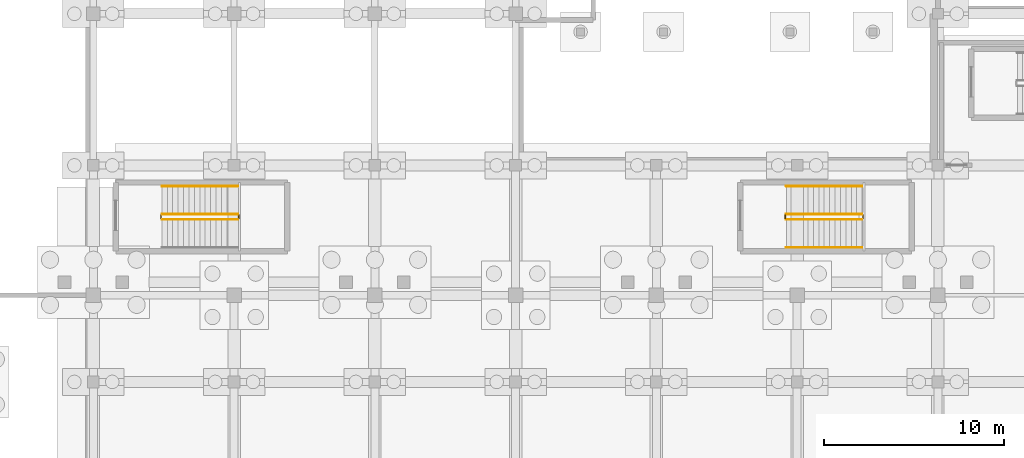
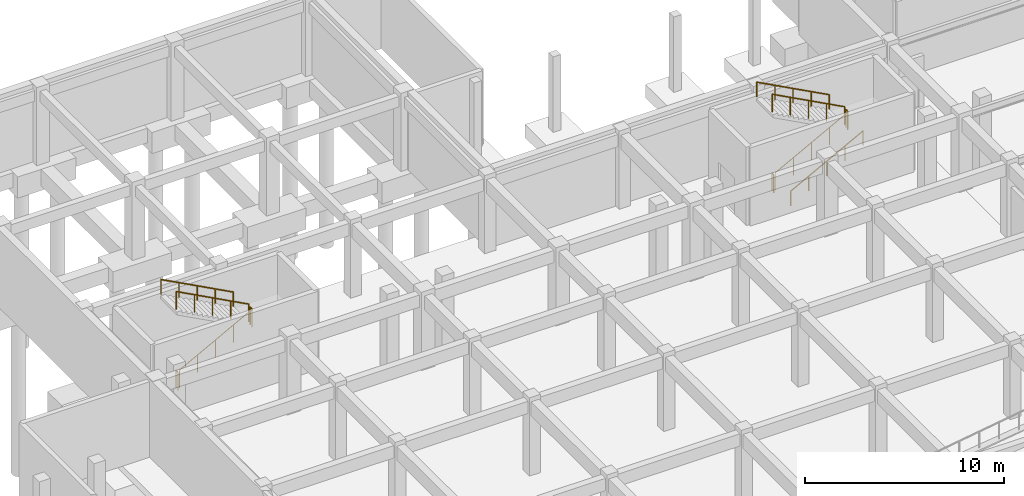
# One storey, part 23 of 26: 11 railings.
"""IFC4 building model written with IfcOpenShell, lengths in metres."""

import ifcopenshell
import ifcopenshell.guid

model = None  # the IFC model being written
_history = None  # IfcOwnerHistory: only IFC2X3 demands one
_inside = {}  # id of a spatial element -> (the spatial element, [elements in it])
_under = {}  # id of a project, library or spatial element -> (it, [spatial elements below it])
_declared = {}  # id of a project -> (the project, [libraries it declares])
_typed = {}  # id of a type object -> (the type object, [elements of that type])
_made_of = {}  # id of a material, layer set ... -> (it, [elements and type objects made of it])


def new_model(schema):
    """Start an empty IFC model of exactly this schema.

    Asked for "IFC4X3", IfcOpenShell would pick the latest addendum, in which some entities
    have other attributes; the version numbers below select the first issue.
    IFC2X3 requires an IfcOwnerHistory on every rooted entity: one is made here for all.
    """
    global model, _history
    if schema == "IFC4X3":
        model = ifcopenshell.file(schema_version=(4, 3, 0, 0))
    else:
        model = ifcopenshell.file(schema=schema)
    _inside.clear()
    _under.clear()
    _declared.clear()
    _typed.clear()
    _made_of.clear()
    _history = None
    if model.schema == "IFC2X3":
        org = make("IfcOrganization", Name="unknown")
        user = make(
            "IfcPersonAndOrganization",
            ThePerson=make("IfcPerson", FamilyName="unknown"),
            TheOrganization=org,
        )
        app = make(
            "IfcApplication",
            ApplicationDeveloper=org,
            Version="unknown",
            ApplicationFullName="unknown",
            ApplicationIdentifier="unknown",
        )
        _history = make(
            "IfcOwnerHistory",
            OwningUser=user,
            OwningApplication=app,
            ChangeAction="ADDED",
            CreationDate=0,
        )
    return model


def make(cls, **values):
    """One entity of the class cls with the attributes given. An attribute that is None is left unset."""
    return model.create_entity(
        cls, **{name: value for name, value in values.items() if value is not None}
    )


def rooted(cls, **values):
    """An entity with a GlobalId (a new one), such as an element, a storey or a relation."""
    return make(cls, GlobalId=ifcopenshell.guid.new(), OwnerHistory=_history, **values)


def si_unit(unit_type, name, prefix=None):
    """IfcSIUnit, for example si_unit("LENGTHUNIT", "METRE", prefix="MILLI")."""
    return make("IfcSIUnit", UnitType=unit_type, Prefix=prefix, Name=name)


def assignment(units):
    """IfcUnitAssignment: the units of a project."""
    return None if units is None else make("IfcUnitAssignment", Units=units)


def point(xyz):
    """IfcCartesianPoint."""
    return None if xyz is None else make("IfcCartesianPoint", Coordinates=xyz)


def direction(xyz):
    """IfcDirection."""
    return None if xyz is None else make("IfcDirection", DirectionRatios=xyz)


def frame(location, z_axis=None, x_axis=None):
    """IfcAxis2Placement3D, a coordinate frame: its origin and axes. An axis left out is left unset."""
    return make(
        "IfcAxis2Placement3D",
        Location=point(location),
        Axis=direction(z_axis),
        RefDirection=direction(x_axis),
    )


def frame_2d(location, x_axis=None):
    """IfcAxis2Placement2D, a coordinate frame in the plane: its origin and x axis."""
    return make(
        "IfcAxis2Placement2D", Location=point(location), RefDirection=direction(x_axis)
    )


def origin():
    """The frame at (0, 0, 0) with its axes left unset."""
    return frame((0.0, 0.0, 0.0))


def origin_2d():
    """The frame at (0, 0) in the plane with its x axis left unset."""
    return frame_2d((0.0, 0.0))


def place(relative_to, where):
    """IfcLocalPlacement: puts the frame where relative to a parent placement (None: the world)."""
    return make(
        "IfcLocalPlacement", PlacementRelTo=relative_to, RelativePlacement=where
    )


def context(
    kind, dimensions, precision=None, world=None, true_north=None, identifier=None
):
    """IfcGeometricRepresentationContext, for example the 3D "Model" context."""
    return make(
        "IfcGeometricRepresentationContext",
        ContextIdentifier=identifier,
        ContextType=kind,
        CoordinateSpaceDimension=dimensions,
        Precision=precision,
        WorldCoordinateSystem=world,
        TrueNorth=true_north,
    )


def subcontext(parent, identifier, kind, view, scale=None):
    """IfcGeometricRepresentationSubContext, for example "Body" below "Model"."""
    return make(
        "IfcGeometricRepresentationSubContext",
        ContextIdentifier=identifier,
        ContextType=kind,
        ParentContext=parent,
        TargetScale=scale,
        TargetView=view,
    )


def project(units=None, contexts=None):
    """IfcProject with its units and contexts."""
    return rooted(
        "IfcProject",
        Name="project",
        RepresentationContexts=contexts,
        UnitsInContext=assignment(units),
    )


def spatial(cls, under=None, at=None, **own):
    """A site, building, storey or space (cls), placed at a placement, below another one or the project."""
    s = rooted(cls, ObjectPlacement=at, **own)
    if under is not None:
        _under.setdefault(under.id(), (under, []))[1].append(s)
    return s


def profile(cls, at=None, kind="AREA", **sizes):
    """A parametric profile (cls). Its sizes go by their IFC names, for example OverallWidth=200.0."""
    return make(cls, ProfileType=kind, Position=at, **sizes)


def circle(**sizes):
    """IfcCircleProfileDef."""
    return profile("IfcCircleProfileDef", **sizes)


def extrude(swept, where, along, depth):
    """IfcExtrudedAreaSolid: the profile swept, set in the frame where, extruded along a direction by depth."""
    return make(
        "IfcExtrudedAreaSolid",
        SweptArea=swept,
        Position=where,
        ExtrudedDirection=direction(along),
        Depth=depth,
    )


def shape(context_of_items, identifier, shape_type, items):
    """IfcShapeRepresentation: the items that make up one representation, for example the "Body"."""
    return make(
        "IfcShapeRepresentation",
        ContextOfItems=context_of_items,
        RepresentationIdentifier=identifier,
        RepresentationType=shape_type,
        Items=items,
    )


def material(Name=None, Category=None):
    """IfcMaterial."""
    return make("IfcMaterial", Name=Name, Category=Category)


def made_of(thing, what):
    """Note that an element or type object is made of a material, layer set ...; save() writes the relation."""
    if what is not None:
        _made_of.setdefault(what.id(), (what, []))[1].append(thing)
    return thing


def type_object(cls, material=None, **own):
    """A type object (cls), such as IfcWallType, which elements share."""
    return made_of(rooted(cls, **own), material)


def element(
    cls,
    number,
    at=None,
    inside=None,
    cuts=None,
    type_object=None,
    material=None,
    context=None,
    identifier="Body",
    shape_type=None,
    held_by="IfcProductDefinitionShape",
    body=None,
    shapes=None,
    **own,
):
    """One element of the class cls, such as IfcWall. Its Tag is "e" and its number.

    at: its placement. inside: the storey or other place that contains it. cuts: it is an
    opening in that element (IfcRelVoidsElement). A single representation is given by context,
    identifier, shape_type and body (its items); several are given by shapes. held_by: the class
    of the entity that holds the representations. save() writes the other relations.
    """
    e = rooted(cls, Tag="e%d" % number, ObjectPlacement=at, **own)
    if body is not None:
        shapes = [shape(context, identifier, shape_type, body)]
    if shapes is not None:
        e.Representation = make(held_by, Representations=shapes)
    if inside is not None:
        _inside.setdefault(inside.id(), (inside, []))[1].append(e)
    if cuts is not None:
        rooted(
            "IfcRelVoidsElement", RelatingBuildingElement=cuts, RelatedOpeningElement=e
        )
    if type_object is not None:
        _typed.setdefault(type_object.id(), (type_object, []))[1].append(e)
    return made_of(e, material)


def aggregate(whole, parts):
    """IfcRelAggregates: a whole, such as a stair, and the parts it consists of."""
    return rooted("IfcRelAggregates", RelatingObject=whole, RelatedObjects=parts)


def save(model, path):
    """Write the relations noted so far, then the file.

    IfcRelAggregates (storeys below a building ...), IfcRelContainedInSpatialStructure (elements
    in a storey), IfcRelDefinesByType, IfcRelAssociatesMaterial and IfcRelDeclares: one each for
    every whole, place, type object, material and project.
    """
    for whole, parts in _under.values():
        aggregate(whole, parts)
    for where, things in _inside.values():
        rooted(
            "IfcRelContainedInSpatialStructure",
            RelatedElements=things,
            RelatingStructure=where,
        )
    for kind, things in _typed.values():
        rooted("IfcRelDefinesByType", RelatedObjects=things, RelatingType=kind)
    for what, things in _made_of.values():
        rooted("IfcRelAssociatesMaterial", RelatedObjects=things, RelatingMaterial=what)
    for by, libraries in _declared.values():
        rooted("IfcRelDeclares", RelatingContext=by, RelatedDefinitions=libraries)
    model.write(path)


model = new_model("IFC4")

# Units and contexts
model_context = context("Model", 3, precision=1e-05, world=origin(), true_north=direction((0.0, 1.0)))
body_context = subcontext(model_context, "Body", "Model", "MODEL_VIEW")
ifc_project = project(units=[si_unit("LENGTHUNIT", "METRE"), si_unit("AREAUNIT", "SQUARE_METRE"), si_unit("VOLUMEUNIT", "CUBIC_METRE"), si_unit("PLANEANGLEUNIT", "RADIAN"), si_unit("MASSUNIT", "GRAM", prefix="KILO")], contexts=[model_context])

# Site, building, storey
site_placement = place(None, origin())
site = spatial("IfcSite", under=ifc_project, at=site_placement, CompositionType="ELEMENT")
building_placement = place(site_placement, origin())
building = spatial("IfcBuilding", under=site, at=building_placement, Name="Tizgana Railside Sports Hall", CompositionType="ELEMENT")
storey_placement = place(building_placement, frame((0.0, 0.0, -4.800048828125)))
storey = spatial("IfcBuildingStorey", under=building, at=storey_placement, Name="B1", CompositionType="ELEMENT", Elevation=-4.800048828125)

# Railings
ifc_material_1 = material(Name="Galvanised steel sheet", Category="steel")
railing_type_1 = type_object("IfcRailingType", Name="Safety Balustrade Guard 1100", PredefinedType="BALUSTRADE", material=ifc_material_1)
railing_1_placement = place(storey_placement, frame((46.199951171875, 77.39990234375, 0.16015625)))
element("IfcRailing", 1, at=railing_1_placement, inside=storey, type_object=railing_type_1, Name="B1 ST-06 stair guard 1", PredefinedType="BALUSTRADE", context=body_context, shape_type="SweptSolid", body=[
    extrude(circle(Radius=0.02392578125, at=origin_2d()), frame((0.0, 0.0, 1.076171875), z_axis=(0.882351521365, 0.0, 0.470590897432), x_axis=(0.0, 1.0, 0.0)), (0.0, 0.0, 1.0), 4.760009765625),
    extrude(circle(Radius=0.02099609375, at=origin_2d()), origin(), (0.0, 0.0, 1.0), 1.052001953125),
    extrude(circle(Radius=0.02099609375, at=origin_2d()), frame((1.050048828125, 0.0, 0.56005859375)), (0.0, 0.0, 1.0), 1.052001953125),
    extrude(circle(Radius=0.02099609375, at=origin_2d()), frame((2.10009765625, 0.0, 1.1201171875)), (0.0, 0.0, 1.0), 1.052001953125),
    extrude(circle(Radius=0.02099609375, at=origin_2d()), frame((3.14990234375, 0.0, 1.679931640625)), (0.0, 0.0, 1.0), 1.052001953125),
    extrude(circle(Radius=0.02099609375, at=origin_2d()), frame((4.199951171875, 0.0, 2.239990234375)), (0.0, 0.0, 1.0), 1.052001953125),
])
railing_2_placement = place(storey_placement, frame((50.449951171875, 77.449951171875, 2.400146484375)))
element("IfcRailing", 2, at=railing_2_placement, inside=storey, type_object=railing_type_1, Name="B1 ST-06 stair guard 2", PredefinedType="BALUSTRADE", context=body_context, shape_type="SweptSolid", body=[
    extrude(circle(Radius=0.02392578125, at=origin_2d()), frame((0.0, 0.0, 1.076171875), z_axis=(0.0, 1.0, 0.0), x_axis=(-1.0, 0.0, 0.0)), (0.0, 0.0, 1.0), 0.199951171875),
    extrude(circle(Radius=0.02099609375, at=origin_2d()), origin(), (0.0, 0.0, 1.0), 1.052001953125),
    extrude(circle(Radius=0.02099609375, at=origin_2d()), frame((0.0, 0.199951171875, 0.0)), (0.0, 0.0, 1.0), 1.052001953125),
])
railing_3_placement = place(storey_placement, frame((50.39990234375, 77.699951171875, 2.56005859375)))
element("IfcRailing", 3, at=railing_3_placement, inside=storey, type_object=railing_type_1, Name="B1 ST-06 stair guard 3", PredefinedType="BALUSTRADE", context=body_context, shape_type="SweptSolid", body=[
    extrude(circle(Radius=0.02392578125, at=origin_2d()), frame((0.0, 0.0, 1.076171875), z_axis=(-0.882351521365, 0.0, 0.470590897432), x_axis=(0.0, -1.0, 0.0)), (0.0, 0.0, 1.0), 4.760009765625),
    extrude(circle(Radius=0.02099609375, at=origin_2d()), origin(), (0.0, 0.0, 1.0), 1.052001953125),
    extrude(circle(Radius=0.02099609375, at=origin_2d()), frame((-1.050048828125, 0.0, 0.56005859375)), (0.0, 0.0, 1.0), 1.052001953125),
    extrude(circle(Radius=0.02099609375, at=origin_2d()), frame((-2.10009765625, 0.0, 1.1201171875)), (0.0, 0.0, 1.0), 1.052001953125),
    extrude(circle(Radius=0.02099609375, at=origin_2d()), frame((-3.14990234375, 0.0, 1.679931640625)), (0.0, 0.0, 1.0), 1.052001953125),
    extrude(circle(Radius=0.02099609375, at=origin_2d()), frame((-4.199951171875, 0.0, 2.239990234375)), (0.0, 0.0, 1.0), 1.052001953125),
])
railing_4_placement = place(storey_placement, frame((46.14990234375, 77.449951171875, 0.0)))
element("IfcRailing", 4, at=railing_4_placement, inside=storey, type_object=railing_type_1, Name="B1 ST-06 stair guard 4", PredefinedType="BALUSTRADE", context=body_context, shape_type="SweptSolid", body=[
    extrude(circle(Radius=0.02392578125, at=origin_2d()), frame((0.0, 0.0, 1.076171875), z_axis=(0.0, 1.0, 0.0), x_axis=(-1.0, 0.0, 0.0)), (0.0, 0.0, 1.0), 0.199951171875),
    extrude(circle(Radius=0.02099609375, at=origin_2d()), origin(), (0.0, 0.0, 1.0), 1.052001953125),
    extrude(circle(Radius=0.02099609375, at=origin_2d()), frame((0.0, 0.199951171875, 0.0)), (0.0, 0.0, 1.0), 1.052001953125),
])
railing_5_placement = place(storey_placement, frame((11.60009765625, 77.39990234375, 0.16015625)))
element("IfcRailing", 5, at=railing_5_placement, inside=storey, type_object=railing_type_1, Name="B1 ST-07 stair guard 1", PredefinedType="BALUSTRADE", context=body_context, shape_type="SweptSolid", body=[
    extrude(circle(Radius=0.02392578125, at=origin_2d()), frame((0.0, 0.0, 1.076171875), z_axis=(0.882351521365, 0.0, 0.470590897432), x_axis=(0.0, 1.0, 0.0)), (0.0, 0.0, 1.0), 4.760009765625),
    extrude(circle(Radius=0.02099609375, at=origin_2d()), origin(), (0.0, 0.0, 1.0), 1.052001953125),
    extrude(circle(Radius=0.02099609375, at=origin_2d()), frame((1.050048828125, 0.0, 0.56005859375)), (0.0, 0.0, 1.0), 1.052001953125),
    extrude(circle(Radius=0.02099609375, at=origin_2d()), frame((2.10009765625, 0.0, 1.1201171875)), (0.0, 0.0, 1.0), 1.052001953125),
    extrude(circle(Radius=0.02099609375, at=origin_2d()), frame((3.14990234375, 0.0, 1.679931640625)), (0.0, 0.0, 1.0), 1.052001953125),
    extrude(circle(Radius=0.02099609375, at=origin_2d()), frame((4.199951171875, 0.0, 2.239990234375)), (0.0, 0.0, 1.0), 1.052001953125),
])
railing_6_placement = place(storey_placement, frame((15.85009765625, 77.449951171875, 2.400146484375)))
element("IfcRailing", 6, at=railing_6_placement, inside=storey, type_object=railing_type_1, Name="B1 ST-07 stair guard 2", PredefinedType="BALUSTRADE", context=body_context, shape_type="SweptSolid", body=[
    extrude(circle(Radius=0.02392578125, at=origin_2d()), frame((0.0, 0.0, 1.076171875), z_axis=(0.0, 1.0, 0.0), x_axis=(-1.0, 0.0, 0.0)), (0.0, 0.0, 1.0), 0.199951171875),
    extrude(circle(Radius=0.02099609375, at=origin_2d()), origin(), (0.0, 0.0, 1.0), 1.052001953125),
    extrude(circle(Radius=0.02099609375, at=origin_2d()), frame((0.0, 0.199951171875, 0.0)), (0.0, 0.0, 1.0), 1.052001953125),
])
railing_7_placement = place(storey_placement, frame((15.800048828125, 77.699951171875, 2.56005859375)))
element("IfcRailing", 7, at=railing_7_placement, inside=storey, type_object=railing_type_1, Name="B1 ST-07 stair guard 3", PredefinedType="BALUSTRADE", context=body_context, shape_type="SweptSolid", body=[
    extrude(circle(Radius=0.02392578125, at=origin_2d()), frame((0.0, 0.0, 1.076171875), z_axis=(-0.882351521365, 0.0, 0.470590897432), x_axis=(0.0, -1.0, 0.0)), (0.0, 0.0, 1.0), 4.760009765625),
    extrude(circle(Radius=0.02099609375, at=origin_2d()), origin(), (0.0, 0.0, 1.0), 1.052001953125),
    extrude(circle(Radius=0.02099609375, at=origin_2d()), frame((-1.050048828125, 0.0, 0.56005859375)), (0.0, 0.0, 1.0), 1.052001953125),
    extrude(circle(Radius=0.02099609375, at=origin_2d()), frame((-2.10009765625, 0.0, 1.1201171875)), (0.0, 0.0, 1.0), 1.052001953125),
    extrude(circle(Radius=0.02099609375, at=origin_2d()), frame((-3.14990234375, 0.0, 1.679931640625)), (0.0, 0.0, 1.0), 1.052001953125),
    extrude(circle(Radius=0.02099609375, at=origin_2d()), frame((-4.199951171875, 0.0, 2.239990234375)), (0.0, 0.0, 1.0), 1.052001953125),
])
railing_8_placement = place(storey_placement, frame((11.550048828125, 77.449951171875, 0.0)))
element("IfcRailing", 8, at=railing_8_placement, inside=storey, type_object=railing_type_1, Name="B1 ST-07 stair guard 4", PredefinedType="BALUSTRADE", context=body_context, shape_type="SweptSolid", body=[
    extrude(circle(Radius=0.02392578125, at=origin_2d()), frame((0.0, 0.0, 1.076171875), z_axis=(0.0, 1.0, 0.0), x_axis=(-1.0, 0.0, 0.0)), (0.0, 0.0, 1.0), 0.199951171875),
    extrude(circle(Radius=0.02099609375, at=origin_2d()), origin(), (0.0, 0.0, 1.0), 1.052001953125),
    extrude(circle(Radius=0.02099609375, at=origin_2d()), frame((0.0, 0.199951171875, 0.0)), (0.0, 0.0, 1.0), 1.052001953125),
])
ifc_material_2 = material(Name="Brushed stainless steel", Category="steel")
railing_type_2 = type_object("IfcRailingType", Name="Stair & Ramp Wall Handrail 900", PredefinedType="HANDRAIL", material=ifc_material_2)
railing_9_placement = place(storey_placement, frame((46.199951171875, 75.85009765625, 0.16015625)))
element("IfcRailing", 9, at=railing_9_placement, inside=storey, type_object=railing_type_2, Name="B1 ST-06 stair handrail 1", PredefinedType="HANDRAIL", context=body_context, shape_type="SweptSolid", body=[
    extrude(circle(Radius=0.02392578125, at=origin_2d()), frame((0.0, 0.0, 0.8759765625), z_axis=(0.882351521365, 0.0, 0.470590897432), x_axis=(0.0, 1.0, 0.0)), (0.0, 0.0, 1.0), 4.760009765625),
    extrude(circle(Radius=0.02099609375, at=origin_2d()), origin(), (0.0, 0.0, 1.0), 0.851806640625),
    extrude(circle(Radius=0.02099609375, at=origin_2d()), frame((1.050048828125, 0.0, 0.56005859375)), (0.0, 0.0, 1.0), 0.851806640625),
    extrude(circle(Radius=0.02099609375, at=origin_2d()), frame((2.10009765625, 0.0, 1.1201171875)), (0.0, 0.0, 1.0), 0.851806640625),
    extrude(circle(Radius=0.02099609375, at=origin_2d()), frame((3.14990234375, 0.0, 1.679931640625)), (0.0, 0.0, 1.0), 0.851806640625),
    extrude(circle(Radius=0.02099609375, at=origin_2d()), frame((4.199951171875, 0.0, 2.239990234375)), (0.0, 0.0, 1.0), 0.851806640625),
])
for number, where, name in (
    (10, (50.39990234375, 79.25, 2.56005859375), "B1 ST-06 stair handrail 2"),
    (11, (15.800048828125, 79.25, 2.56005859375), "B1 ST-07 stair handrail 2"),
):
    element("IfcRailing", number, at=place(storey_placement, frame(where)), inside=storey, type_object=railing_type_2, Name=name, PredefinedType="HANDRAIL", context=body_context, shape_type="SweptSolid", body=[
        extrude(circle(Radius=0.02392578125, at=origin_2d()), frame((0.0, 0.0, 0.8759765625), z_axis=(-0.882351521365, 0.0, 0.470590897432), x_axis=(0.0, -1.0, 0.0)), (0.0, 0.0, 1.0), 4.760009765625),
        extrude(circle(Radius=0.02099609375, at=origin_2d()), origin(), (0.0, 0.0, 1.0), 0.851806640625),
        extrude(circle(Radius=0.02099609375, at=origin_2d()), frame((-1.050048828125, 0.0, 0.56005859375)), (0.0, 0.0, 1.0), 0.851806640625),
        extrude(circle(Radius=0.02099609375, at=origin_2d()), frame((-2.10009765625, 0.0, 1.1201171875)), (0.0, 0.0, 1.0), 0.851806640625),
        extrude(circle(Radius=0.02099609375, at=origin_2d()), frame((-3.14990234375, 0.0, 1.679931640625)), (0.0, 0.0, 1.0), 0.851806640625),
        extrude(circle(Radius=0.02099609375, at=origin_2d()), frame((-4.199951171875, 0.0, 2.239990234375)), (0.0, 0.0, 1.0), 0.851806640625),
    ])

save(model, "model.ifc")
